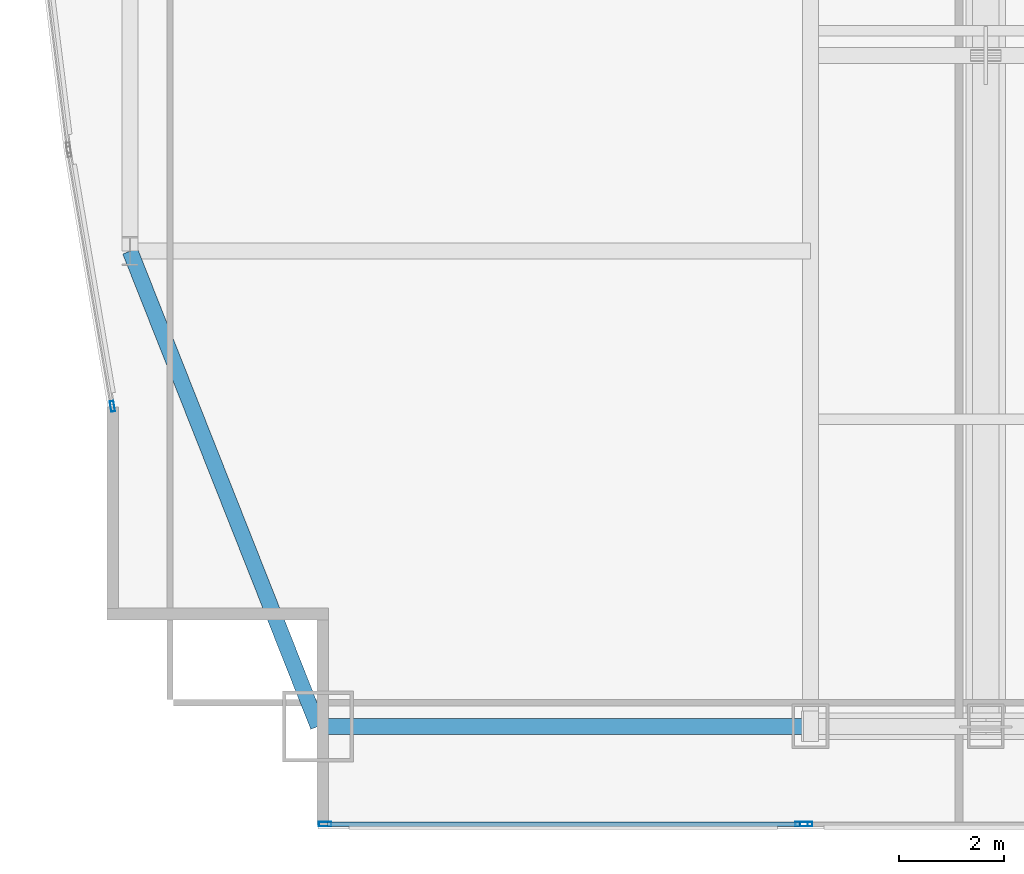
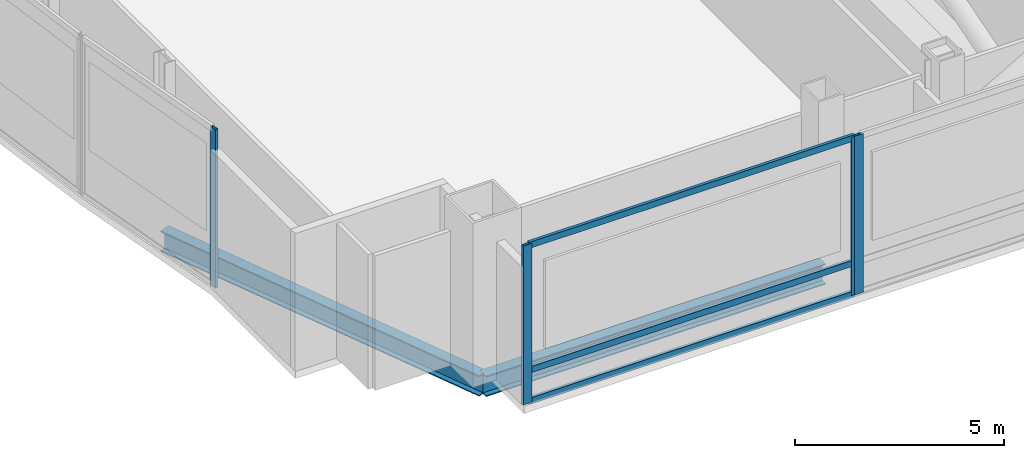
# One storey, part 5 of 30: 7 members, 2 beams, 3 elements without a shape of their own.
"""IFC4 building model written with IfcOpenShell, lengths in metres."""

from ifc_helpers import new_model, si_unit, direction, frame, origin, origin_2d, place, context, subcontext, project, spatial, hollow_rectangle, i_section, extrude, material, material_profile, profile_set, type_object, element, aggregate, save


model = new_model("IFC4")

# Units and contexts
model_context = context("Model", 3, precision=1e-05, world=origin(), true_north=direction((0.0, 1.0)))
body_context = subcontext(model_context, "Body", "Model", "MODEL_VIEW")
ifc_project = project(units=[si_unit("LENGTHUNIT", "METRE"), si_unit("AREAUNIT", "SQUARE_METRE"), si_unit("VOLUMEUNIT", "CUBIC_METRE"), si_unit("PLANEANGLEUNIT", "RADIAN"), si_unit("MASSUNIT", "GRAM", prefix="KILO")], contexts=[model_context])

# Site, building, storey
site_placement = place(None, origin())
site = spatial("IfcSite", under=ifc_project, at=site_placement, CompositionType="ELEMENT")
building_placement = place(site_placement, origin())
building = spatial("IfcBuilding", under=site, at=building_placement, Name="Khoronbel Lancet Exchange", CompositionType="ELEMENT")
storey_placement = place(building_placement, frame((0.0, 0.0, 172.199951171875)))
storey = spatial("IfcBuildingStorey", under=building, at=storey_placement, Name="L43", CompositionType="ELEMENT", Elevation=172.199951171875)

# Beams
ifc_material_1 = material(Name="Steel S355", Category="steel")
ifc_material_profile_1 = material_profile(ifc_material_1, i_section(OverallWidth=0.300048828125, OverallDepth=0.60009765625, WebThickness=0.015380859375, FlangeThickness=0.030029296875, at=origin_2d()), Name="HEB 600")
ifc_profile_set_1 = profile_set([ifc_material_profile_1], Name="Steel S355")
beam_type = type_object("IfcBeamType", Name="BM-BSP2", PredefinedType="SPANDREL", material=ifc_profile_set_1)
beam_1_placement = place(storey_placement, frame((8.85009765625, 10.14990234375, -0.52001953125), z_axis=(1.0, 0.0, 0.0), x_axis=(0.0, 1.0, 0.0)))
element("IfcBeam", 1, at=beam_1_placement, inside=storey, type_object=beam_type, Name="Level L43 perimeter spandrel beam SP01", PredefinedType="SPANDREL", context=body_context, shape_type="SweptSolid", body=[
    extrude(i_section(OverallWidth=0.300048828125, OverallDepth=0.60009765625, WebThickness=0.015380859375, FlangeThickness=0.030029296875, at=origin_2d()), origin(), (0.0, 0.0, 1.0), 9.375),
])
beam_2_placement = place(storey_placement, frame((5.27001953125, 19.199951171875, -0.52001953125), z_axis=(0.367850095026, -0.92988510451, 0.0), x_axis=(0.92988510451, 0.367850095026, 0.0)))
element("IfcBeam", 2, at=beam_2_placement, inside=storey, type_object=beam_type, Name="Level L43 perimeter spandrel beam SP21", PredefinedType="SPANDREL", context=body_context, shape_type="SweptSolid", body=[
    extrude(i_section(OverallWidth=0.300048828125, OverallDepth=0.60009765625, WebThickness=0.015380859375, FlangeThickness=0.030029296875, at=origin_2d()), origin(), (0.0, 0.0, 1.0), 9.732421875),
])

# Curtain wall, members
ifc_material_2 = material(Name="Low-E Solar Control Insulating Glass", Category="glass")
curtain_wall_type_1 = type_object("IfcCurtainWallType", Name="CW-3", PredefinedType="NOTDEFINED", material=ifc_material_2)
curtain_wall_1_placement = place(storey_placement, origin())
curtain_wall_1 = element("IfcCurtainWall", 3, at=curtain_wall_1_placement, inside=storey, type_object=curtain_wall_type_1, Name="Unitised curtain wall CW-L43-SWV", PredefinedType="NOTDEFINED")
ifc_material_3 = material(Name="Bronze-Anodised Aluminium 6063-T6", Category="aluminium")
ifc_material_profile_2 = material_profile(ifc_material_3, hollow_rectangle(XDim=0.0849609375, YDim=0.239990234375, WallThickness=0.006103515625, at=origin_2d()), Name="ALU MULLION 85x240")
ifc_profile_set_2 = profile_set([ifc_material_profile_2], Name="Bronze-Anodised Aluminium 6063-T6")
member_type_1 = type_object("IfcMemberType", Name="MEM-CWM1", PredefinedType="MULLION", material=ifc_profile_set_2)
member_1_placement = place(storey_placement, frame((8.982421875, 8.2900390625, 0.0), z_axis=(0.0, 0.0, 1.0), x_axis=(0.0, 1.0, 0.0)))
member_1 = element("IfcMember", 4, at=member_1_placement, type_object=member_type_1, Name="CW3 mullion 1", PredefinedType="MULLION", context=body_context, shape_type="SweptSolid", body=[
    extrude(hollow_rectangle(XDim=0.0849609375, YDim=0.239990234375, WallThickness=0.006103515625, at=origin_2d()), origin(), (0.0, 0.0, 1.0), 4.64013671875),
])
member_2_placement = place(storey_placement, frame((18.0576171875, 8.2900390625, 0.0), z_axis=(0.0, 0.0, 1.0), x_axis=(0.0, 1.0, 0.0)))
member_2 = element("IfcMember", 5, at=member_2_placement, type_object=member_type_1, Name="CW3 mullion 2", PredefinedType="MULLION", context=body_context, shape_type="SweptSolid", body=[
    extrude(hollow_rectangle(XDim=0.0849609375, YDim=0.239990234375, WallThickness=0.006103515625, at=origin_2d()), origin(), (0.0, 0.0, 1.0), 4.64013671875),
])

# Curtain wall, member
curtain_wall_2_placement = place(storey_placement, origin())
curtain_wall_2 = element("IfcCurtainWall", 6, at=curtain_wall_2_placement, inside=storey, type_object=curtain_wall_type_1, Name="Unitised curtain wall CW-L43-SWB", PredefinedType="NOTDEFINED")
member_3_placement = place(storey_placement, frame((18.142578125, 8.2900390625, 0.0), z_axis=(0.0, 0.0, 1.0), x_axis=(0.0, 1.0, 0.0)))
member_3 = element("IfcMember", 7, at=member_3_placement, type_object=member_type_1, Name="CW3 mullion 1", PredefinedType="MULLION", context=body_context, shape_type="SweptSolid", body=[
    extrude(hollow_rectangle(XDim=0.0849609375, YDim=0.239990234375, WallThickness=0.006103515625, at=origin_2d()), origin(), (0.0, 0.0, 1.0), 4.64013671875),
])
aggregate(curtain_wall_2, [member_3])

curtain_wall_type_2 = type_object("IfcCurtainWallType", Name="CW-4", PredefinedType="NOTDEFINED", material=ifc_material_2)
curtain_wall_3_placement = place(storey_placement, origin())
curtain_wall_3 = element("IfcCurtainWall", 8, at=curtain_wall_3_placement, inside=storey, type_object=curtain_wall_type_2, Name="Unitised curtain wall CW-L43-E04", PredefinedType="NOTDEFINED")
ifc_material_profile_3 = material_profile(ifc_material_3, hollow_rectangle(XDim=0.074951171875, YDim=0.199951171875, WallThickness=0.0048828125, at=origin_2d()), Name="ALU MULLION 75x200")
ifc_profile_set_3 = profile_set([ifc_material_profile_3], Name="Bronze-Anodised Aluminium 6063-T6")
member_type_2 = type_object("IfcMemberType", Name="MEM-CWM2", PredefinedType="MULLION", material=ifc_profile_set_3)
member_4_placement = place(storey_placement, frame((4.93359375, 16.24462890625, 0.0), z_axis=(0.0, 0.0, 1.0), x_axis=(-0.985785410135, -0.168009300828, 0.0)))
member_4 = element("IfcMember", 9, at=member_4_placement, type_object=member_type_2, Name="CW4 mullion 1", PredefinedType="MULLION", context=body_context, shape_type="SweptSolid", body=[
    extrude(hollow_rectangle(XDim=0.074951171875, YDim=0.199951171875, WallThickness=0.0048828125, at=origin_2d()), origin(), (0.0, 0.0, 1.0), 4.64013671875),
])
aggregate(curtain_wall_3, [member_4])

# Member
ifc_material_profile_4 = material_profile(ifc_material_3, hollow_rectangle(XDim=0.0849609375, YDim=0.179931640625, WallThickness=0.0048828125, at=origin_2d()), Name="ALU TRANSOM 85x180")
ifc_profile_set_4 = profile_set([ifc_material_profile_4], Name="Bronze-Anodised Aluminium 6063-T6")
member_type_3 = type_object("IfcMemberType", Name="MEM-CWT1", PredefinedType="USERDEFINED", material=ifc_profile_set_4)
member_5_placement = place(storey_placement, frame((9.02490234375, 8.2900390625, 0.04248046875), z_axis=(1.0, 0.0, 0.0), x_axis=(0.0, 1.0, 0.0)))
member_5 = element("IfcMember", 10, at=member_5_placement, type_object=member_type_3, Name="CW3 transom 1.1", ObjectType="TRANSOM", PredefinedType="USERDEFINED", context=body_context, shape_type="SweptSolid", body=[
    extrude(hollow_rectangle(XDim=0.0849609375, YDim=0.179931640625, WallThickness=0.0048828125, at=origin_2d()), origin(), (0.0, 0.0, 1.0), 8.989990234375),
])

member_6_placement = place(storey_placement, frame((9.02490234375, 8.2900390625, 0.949951171875), z_axis=(1.0, 0.0, 0.0), x_axis=(0.0, 1.0, 0.0)))
member_6 = element("IfcMember", 11, at=member_6_placement, type_object=member_type_3, Name="CW3 transom 1.2", ObjectType="TRANSOM", PredefinedType="USERDEFINED", context=body_context, shape_type="SweptSolid", body=[
    extrude(hollow_rectangle(XDim=0.0849609375, YDim=0.179931640625, WallThickness=0.0048828125, at=origin_2d()), origin(), (0.0, 0.0, 1.0), 8.989990234375),
])

member_7_placement = place(storey_placement, frame((9.02490234375, 8.2900390625, 4.59765625), z_axis=(1.0, 0.0, 0.0), x_axis=(0.0, 1.0, 0.0)))
member_7 = element("IfcMember", 12, at=member_7_placement, type_object=member_type_3, Name="CW3 transom 1.3", ObjectType="TRANSOM", PredefinedType="USERDEFINED", context=body_context, shape_type="SweptSolid", body=[
    extrude(hollow_rectangle(XDim=0.0849609375, YDim=0.179931640625, WallThickness=0.0048828125, at=origin_2d()), origin(), (0.0, 0.0, 1.0), 8.989990234375),
])

aggregate(curtain_wall_1, [member_1, member_2, member_5, member_6, member_7])

save(model, "model.ifc")
